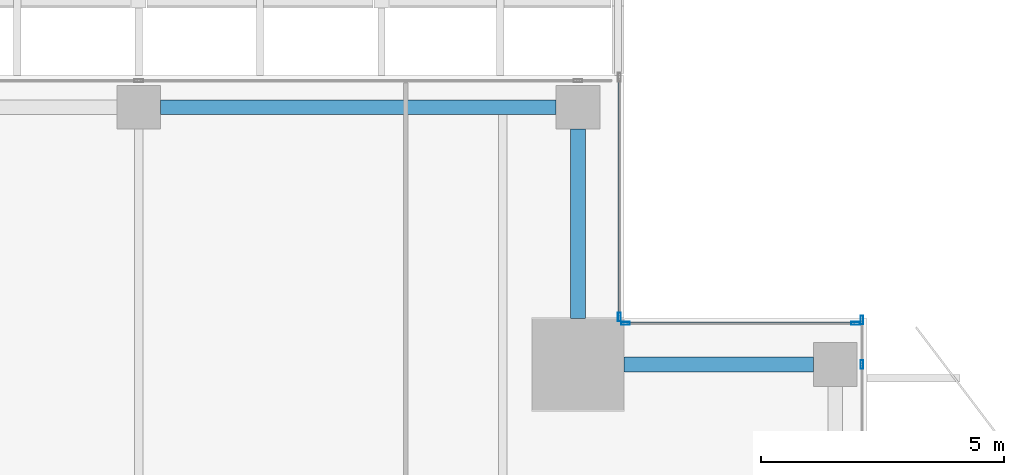
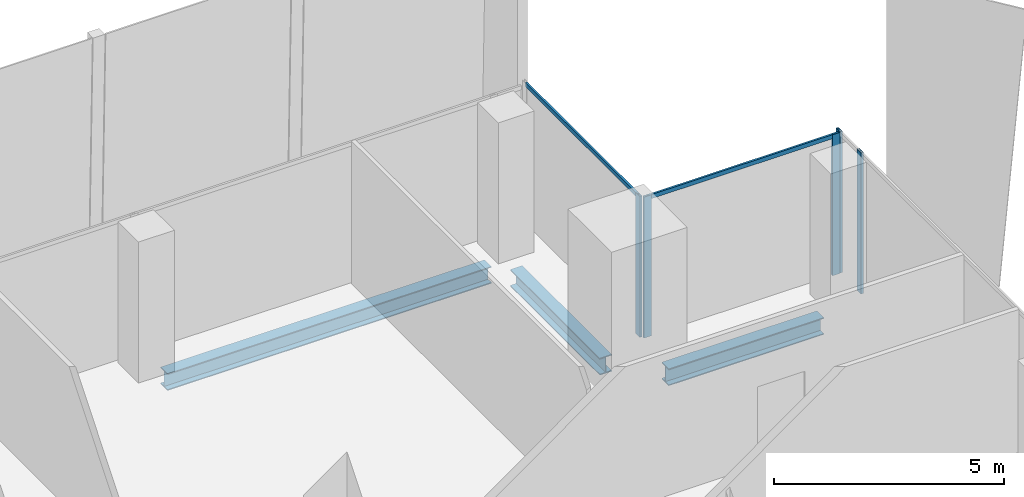
# One storey, part 20 of 35: 7 members, 3 beams, 3 elements without a shape of their own.
"""IFC4 building model written with IfcOpenShell, lengths in metres."""

from ifc_helpers import new_model, si_unit, direction, frame, origin, origin_2d, place, context, subcontext, project, spatial, hollow_rectangle, i_section, extrude, source, transform, mapped, material, material_profile, profile_set, type_object, element, aggregate, save


model = new_model("IFC4")

# Units and contexts
model_context = context("Model", 3, precision=1e-05, world=origin(), true_north=direction((0.0, 1.0)))
body_context = subcontext(model_context, "Body", "Model", "MODEL_VIEW")
ifc_project = project(units=[si_unit("LENGTHUNIT", "METRE"), si_unit("AREAUNIT", "SQUARE_METRE"), si_unit("VOLUMEUNIT", "CUBIC_METRE"), si_unit("PLANEANGLEUNIT", "RADIAN"), si_unit("MASSUNIT", "GRAM", prefix="KILO")], contexts=[model_context])

# Site, building, storey
site_placement = place(None, origin())
site = spatial("IfcSite", under=ifc_project, at=site_placement, CompositionType="ELEMENT")
building_placement = place(site_placement, origin())
building = spatial("IfcBuilding", under=site, at=building_placement, Name="Khomas Fold Tower", CompositionType="ELEMENT")
storey_placement = place(building_placement, frame((0.0, 0.0, 258.199951171875)))
storey = spatial("IfcBuildingStorey", under=building, at=storey_placement, Name="L58", CompositionType="ELEMENT", Elevation=258.199951171875)

# Beams
ifc_material_1 = material(Name="Steel S355", Category="steel")
ifc_material_profile_1 = material_profile(ifc_material_1, i_section(OverallWidth=0.300048828125, OverallDepth=0.449951171875, WebThickness=0.013916015625, FlangeThickness=0.02587890625, at=origin_2d()), Name="HE 450 B")
ifc_profile_set_1 = profile_set([ifc_material_profile_1], Name="Steel S355")
beam_type = type_object("IfcBeamType", Name="HE 450 B spandrel SB4", PredefinedType="SPANDREL", material=ifc_profile_set_1)
shared_shape_1 = source(origin(), body_context, "Body", "SweptSolid", [
    extrude(i_section(OverallWidth=0.300048828125, OverallDepth=0.449951171875, WebThickness=0.013916015625, FlangeThickness=0.02587890625, at=origin_2d()), origin(), (0.0, 0.0, 1.0), 8.150146484375),
])
beam_placement = place(storey_placement, frame((34.949951171875, 48.85009765625, -0.474853515625), z_axis=(1.0, 0.0, 0.0), x_axis=(0.0, 1.0, 0.0)))
element("IfcBeam", 1, at=beam_placement, inside=storey, type_object=beam_type, Name="SB4", PredefinedType="SPANDREL", context=body_context, shape_type="MappedRepresentation", body=[
    mapped(shared_shape_1, transform((0.0, 0.0, 0.0))),
])
shared_shape_2 = source(origin(), body_context, "Body", "SweptSolid", [
    extrude(i_section(OverallWidth=0.300048828125, OverallDepth=0.449951171875, WebThickness=0.013916015625, FlangeThickness=0.02587890625, at=origin_2d()), origin(), (0.0, 0.0, 1.0), 3.89990234375),
])
for number, where, z_axis, x_axis, name in (
    (2, (44.5, 43.550048828125, -0.474853515625), (1.0, 0.0, 0.0), (0.0, 1.0, 0.0), "SB4"),
    (3, (43.550048828125, 44.5, -0.474853515625), (0.0, 1.0, 0.0), (-1.0, 0.0, 0.0), "SB4"),
):
    element("IfcBeam", number, at=place(storey_placement, frame(where, z_axis=z_axis, x_axis=x_axis)), inside=storey, type_object=beam_type, Name=name, PredefinedType="SPANDREL", context=body_context, shape_type="MappedRepresentation", body=[
        mapped(shared_shape_2, transform((0.0, 0.0, 0.0))),
    ])

# Curtain wall, members
ifc_material_2 = material(Name="Aluminium framed double glazing", Category="aluminium")
curtain_wall_type = type_object("IfcCurtainWallType", Name="SK-Unitised clear-glass wall, office floors CW2", PredefinedType="NOTDEFINED", material=ifc_material_2)
curtain_wall_1_placement = place(storey_placement, origin())
curtain_wall_1 = element("IfcCurtainWall", 4, at=curtain_wall_1_placement, inside=storey, type_object=curtain_wall_type, Name="CW2 run L58 03-1", PredefinedType="NOTDEFINED")
ifc_material_3 = material(Name="Aluminium", Category="aluminium")
ifc_material_profile_2 = material_profile(ifc_material_3, hollow_rectangle(XDim=0.06005859375, YDim=0.179931640625, WallThickness=0.00390625, at=origin_2d()), Name="SK-Unitised clear-glass wall, office floors mullion CW2-M")
ifc_profile_set_2 = profile_set([ifc_material_profile_2], Name="Aluminium")
member_type_1 = type_object("IfcMemberType", Name="SK-Unitised clear-glass wall, office floors mullion CW2-M", PredefinedType="MULLION", material=ifc_profile_set_2)
shared_shape_3 = source(origin(), body_context, "Body", "SweptSolid", [
    extrude(hollow_rectangle(XDim=0.06005859375, YDim=0.179931640625, WallThickness=0.00390625, at=origin_2d()), origin(), (0.0, 0.0, 1.0), 3.75),
])
member_1_placement = place(storey_placement, frame((49.39990234375, 43.550048828125, 0.0), z_axis=(0.0, 0.0, 1.0), x_axis=(-1.0, 0.0, 0.0)))
member_1 = element("IfcMember", 5, at=member_1_placement, type_object=member_type_1, Name="CW2 mullion 4", PredefinedType="MULLION", context=body_context, shape_type="MappedRepresentation", body=[
    mapped(shared_shape_3, transform((0.0, 0.0, 0.0))),
])
member_2_placement = place(storey_placement, frame((49.39990234375, 44.469970703125, 0.0), z_axis=(0.0, 0.0, 1.0), x_axis=(-1.0, 0.0, 0.0)))
member_2 = element("IfcMember", 6, at=member_2_placement, type_object=member_type_1, Name="CW2 mullion 5", PredefinedType="MULLION", context=body_context, shape_type="MappedRepresentation", body=[
    mapped(shared_shape_3, transform((0.0, 0.0, 0.0))),
])
aggregate(curtain_wall_1, [member_1, member_2])

curtain_wall_2_placement = place(storey_placement, origin())
curtain_wall_2 = element("IfcCurtainWall", 7, at=curtain_wall_2_placement, inside=storey, type_object=curtain_wall_type, Name="CW2 corner return L58 04", PredefinedType="NOTDEFINED")
member_3_placement = place(storey_placement, frame((49.27001953125, 44.39990234375, 0.0), z_axis=(0.0, 0.0, 1.0), x_axis=(0.0, -1.0, 0.0)))
member_3 = element("IfcMember", 8, at=member_3_placement, type_object=member_type_1, Name="CW2 mullion 1", PredefinedType="MULLION", context=body_context, shape_type="MappedRepresentation", body=[
    mapped(shared_shape_3, transform((0.0, 0.0, 0.0))),
])
member_4_placement = place(storey_placement, frame((44.530029296875, 44.39990234375, 0.0), z_axis=(0.0, 0.0, 1.0), x_axis=(0.0, -1.0, 0.0)))
member_4 = element("IfcMember", 9, at=member_4_placement, type_object=member_type_1, Name="CW2 mullion 2", PredefinedType="MULLION", context=body_context, shape_type="MappedRepresentation", body=[
    mapped(shared_shape_3, transform((0.0, 0.0, 0.0))),
])

# Curtain wall, member
curtain_wall_3_placement = place(storey_placement, origin())
curtain_wall_3 = element("IfcCurtainWall", 10, at=curtain_wall_3_placement, inside=storey, type_object=curtain_wall_type, Name="CW2 corner return L58 05", PredefinedType="NOTDEFINED")
member_5_placement = place(storey_placement, frame((44.39990234375, 44.530029296875, 0.0), z_axis=(0.0, 0.0, 1.0), x_axis=(-1.0, 0.0, 0.0)))
member_5 = element("IfcMember", 11, at=member_5_placement, type_object=member_type_1, Name="CW2 mullion 1", PredefinedType="MULLION", context=body_context, shape_type="MappedRepresentation", body=[
    mapped(shared_shape_3, transform((0.0, 0.0, 0.0))),
])

# Member
ifc_material_4 = material(Name="Aluminium", Category="aluminium")
ifc_material_profile_3 = material_profile(ifc_material_4, hollow_rectangle(XDim=0.050048828125, YDim=0.110107421875, WallThickness=0.00390625, at=origin_2d()), Name="SK-Unitised clear-glass wall, office floors transom CW2-T")
ifc_profile_set_3 = profile_set([ifc_material_profile_3], Name="Aluminium")
member_type_2 = type_object("IfcMemberType", Name="SK-Unitised clear-glass wall, office floors transom CW2-T", PredefinedType="USERDEFINED", material=ifc_profile_set_3)
shared_shape_4 = source(origin(), body_context, "Body", "SweptSolid", [
    extrude(hollow_rectangle(XDim=0.050048828125, YDim=0.110107421875, WallThickness=0.00390625, at=origin_2d()), origin(), (0.0, 0.0, 1.0), 4.679931640625),
])
member_6_placement = place(storey_placement, frame((49.239990234375, 44.39990234375, 3.695068359375), z_axis=(-1.0, 0.0, 0.0), x_axis=(0.0, -1.0, 0.0)))
member_6 = element("IfcMember", 12, at=member_6_placement, type_object=member_type_2, Name="CW2 transom 1", ObjectType="TRANSOM", PredefinedType="USERDEFINED", context=body_context, shape_type="MappedRepresentation", body=[
    mapped(shared_shape_4, transform((0.0, 0.0, 0.0))),
])

aggregate(curtain_wall_2, [member_3, member_4, member_6])

shared_shape_5 = source(origin(), body_context, "Body", "SweptSolid", [
    extrude(hollow_rectangle(XDim=0.050048828125, YDim=0.110107421875, WallThickness=0.00390625, at=origin_2d()), origin(), (0.0, 0.0, 1.0), 4.8798828125),
])
member_7_placement = place(storey_placement, frame((44.39990234375, 44.56005859375, 3.695068359375), z_axis=(0.0, 1.0, 0.0), x_axis=(-1.0, 0.0, 0.0)))
member_7 = element("IfcMember", 13, at=member_7_placement, type_object=member_type_2, Name="CW2 transom 1", ObjectType="TRANSOM", PredefinedType="USERDEFINED", context=body_context, shape_type="MappedRepresentation", body=[
    mapped(shared_shape_5, transform((0.0, 0.0, 0.0))),
])

aggregate(curtain_wall_3, [member_5, member_7])

save(model, "model.ifc")
